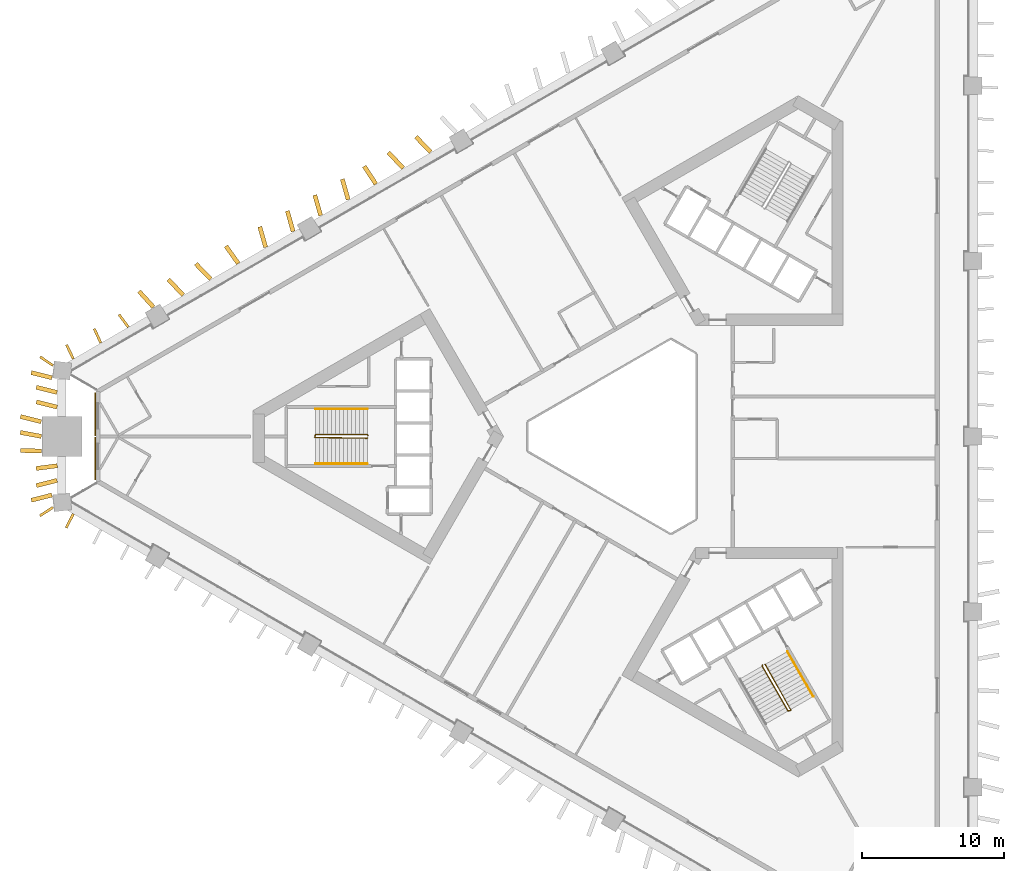
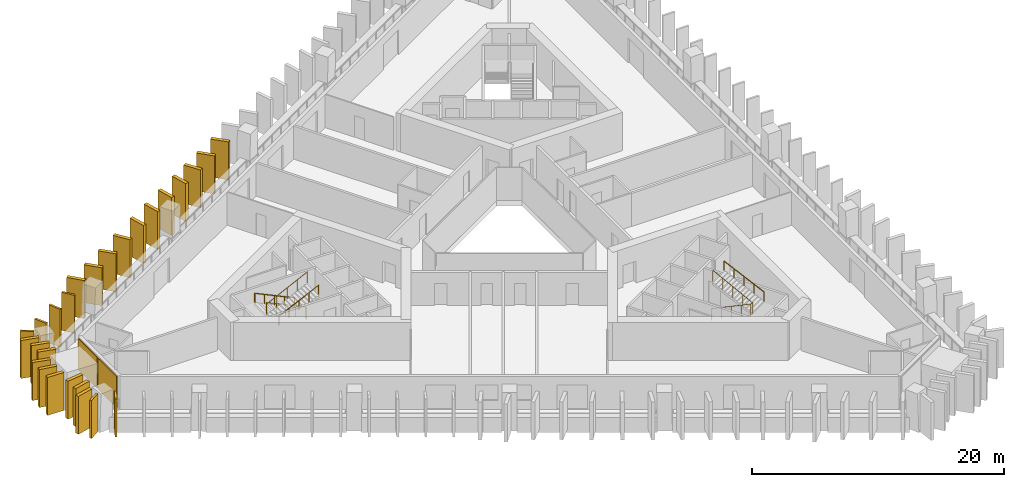
# One storey, part 8 of 10: 26 shading devices, 5 railings, 2 coverings.
"""IFC4 building model written with IfcOpenShell, lengths in metres."""

import ifcopenshell
import ifcopenshell.guid

model = None  # the IFC model being written
_history = None  # IfcOwnerHistory: only IFC2X3 demands one
_inside = {}  # id of a spatial element -> (the spatial element, [elements in it])
_under = {}  # id of a project, library or spatial element -> (it, [spatial elements below it])
_declared = {}  # id of a project -> (the project, [libraries it declares])
_typed = {}  # id of a type object -> (the type object, [elements of that type])
_made_of = {}  # id of a material, layer set ... -> (it, [elements and type objects made of it])


def new_model(schema):
    """Start an empty IFC model of exactly this schema.

    Asked for "IFC4X3", IfcOpenShell would pick the latest addendum, in which some entities
    have other attributes; the version numbers below select the first issue.
    IFC2X3 requires an IfcOwnerHistory on every rooted entity: one is made here for all.
    """
    global model, _history
    if schema == "IFC4X3":
        model = ifcopenshell.file(schema_version=(4, 3, 0, 0))
    else:
        model = ifcopenshell.file(schema=schema)
    _inside.clear()
    _under.clear()
    _declared.clear()
    _typed.clear()
    _made_of.clear()
    _history = None
    if model.schema == "IFC2X3":
        org = make("IfcOrganization", Name="unknown")
        user = make(
            "IfcPersonAndOrganization",
            ThePerson=make("IfcPerson", FamilyName="unknown"),
            TheOrganization=org,
        )
        app = make(
            "IfcApplication",
            ApplicationDeveloper=org,
            Version="unknown",
            ApplicationFullName="unknown",
            ApplicationIdentifier="unknown",
        )
        _history = make(
            "IfcOwnerHistory",
            OwningUser=user,
            OwningApplication=app,
            ChangeAction="ADDED",
            CreationDate=0,
        )
    return model


def make(cls, **values):
    """One entity of the class cls with the attributes given. An attribute that is None is left unset."""
    return model.create_entity(
        cls, **{name: value for name, value in values.items() if value is not None}
    )


def rooted(cls, **values):
    """An entity with a GlobalId (a new one), such as an element, a storey or a relation."""
    return make(cls, GlobalId=ifcopenshell.guid.new(), OwnerHistory=_history, **values)


def si_unit(unit_type, name, prefix=None):
    """IfcSIUnit, for example si_unit("LENGTHUNIT", "METRE", prefix="MILLI")."""
    return make("IfcSIUnit", UnitType=unit_type, Prefix=prefix, Name=name)


def assignment(units):
    """IfcUnitAssignment: the units of a project."""
    return None if units is None else make("IfcUnitAssignment", Units=units)


def point(xyz):
    """IfcCartesianPoint."""
    return None if xyz is None else make("IfcCartesianPoint", Coordinates=xyz)


def direction(xyz):
    """IfcDirection."""
    return None if xyz is None else make("IfcDirection", DirectionRatios=xyz)


def frame(location, z_axis=None, x_axis=None):
    """IfcAxis2Placement3D, a coordinate frame: its origin and axes. An axis left out is left unset."""
    return make(
        "IfcAxis2Placement3D",
        Location=point(location),
        Axis=direction(z_axis),
        RefDirection=direction(x_axis),
    )


def frame_2d(location, x_axis=None):
    """IfcAxis2Placement2D, a coordinate frame in the plane: its origin and x axis."""
    return make(
        "IfcAxis2Placement2D", Location=point(location), RefDirection=direction(x_axis)
    )


def origin():
    """The frame at (0, 0, 0) with its axes left unset."""
    return frame((0.0, 0.0, 0.0))


def origin_2d():
    """The frame at (0, 0) in the plane with its x axis left unset."""
    return frame_2d((0.0, 0.0))


def place(relative_to, where):
    """IfcLocalPlacement: puts the frame where relative to a parent placement (None: the world)."""
    return make(
        "IfcLocalPlacement", PlacementRelTo=relative_to, RelativePlacement=where
    )


def context(
    kind, dimensions, precision=None, world=None, true_north=None, identifier=None
):
    """IfcGeometricRepresentationContext, for example the 3D "Model" context."""
    return make(
        "IfcGeometricRepresentationContext",
        ContextIdentifier=identifier,
        ContextType=kind,
        CoordinateSpaceDimension=dimensions,
        Precision=precision,
        WorldCoordinateSystem=world,
        TrueNorth=true_north,
    )


def subcontext(parent, identifier, kind, view, scale=None):
    """IfcGeometricRepresentationSubContext, for example "Body" below "Model"."""
    return make(
        "IfcGeometricRepresentationSubContext",
        ContextIdentifier=identifier,
        ContextType=kind,
        ParentContext=parent,
        TargetScale=scale,
        TargetView=view,
    )


def project(units=None, contexts=None):
    """IfcProject with its units and contexts."""
    return rooted(
        "IfcProject",
        Name="project",
        RepresentationContexts=contexts,
        UnitsInContext=assignment(units),
    )


def spatial(cls, under=None, at=None, **own):
    """A site, building, storey or space (cls), placed at a placement, below another one or the project."""
    s = rooted(cls, ObjectPlacement=at, **own)
    if under is not None:
        _under.setdefault(under.id(), (under, []))[1].append(s)
    return s


def profile(cls, at=None, kind="AREA", **sizes):
    """A parametric profile (cls). Its sizes go by their IFC names, for example OverallWidth=200.0."""
    return make(cls, ProfileType=kind, Position=at, **sizes)


def rectangle(**sizes):
    """IfcRectangleProfileDef."""
    return profile("IfcRectangleProfileDef", **sizes)


def circle(**sizes):
    """IfcCircleProfileDef."""
    return profile("IfcCircleProfileDef", **sizes)


def extrude(swept, where, along, depth):
    """IfcExtrudedAreaSolid: the profile swept, set in the frame where, extruded along a direction by depth."""
    return make(
        "IfcExtrudedAreaSolid",
        SweptArea=swept,
        Position=where,
        ExtrudedDirection=direction(along),
        Depth=depth,
    )


def shape(context_of_items, identifier, shape_type, items):
    """IfcShapeRepresentation: the items that make up one representation, for example the "Body"."""
    return make(
        "IfcShapeRepresentation",
        ContextOfItems=context_of_items,
        RepresentationIdentifier=identifier,
        RepresentationType=shape_type,
        Items=items,
    )


def material(Name=None, Category=None):
    """IfcMaterial."""
    return make("IfcMaterial", Name=Name, Category=Category)


def layer(
    of_material, thickness, ventilated=None, Name=None, Category=None, Priority=None
):
    """IfcMaterialLayer: one layer of a wall or slab, of a material (None: an air gap)."""
    return make(
        "IfcMaterialLayer",
        Material=of_material,
        LayerThickness=thickness,
        IsVentilated=ventilated,
        Name=Name,
        Category=Category,
        Priority=Priority,
    )


def layer_set(layers, Name=None):
    """IfcMaterialLayerSet."""
    return make("IfcMaterialLayerSet", MaterialLayers=layers, LayerSetName=Name)


def made_of(thing, what):
    """Note that an element or type object is made of a material, layer set ...; save() writes the relation."""
    if what is not None:
        _made_of.setdefault(what.id(), (what, []))[1].append(thing)
    return thing


def type_object(cls, material=None, **own):
    """A type object (cls), such as IfcWallType, which elements share."""
    return made_of(rooted(cls, **own), material)


def element(
    cls,
    number,
    at=None,
    inside=None,
    cuts=None,
    type_object=None,
    material=None,
    context=None,
    identifier="Body",
    shape_type=None,
    held_by="IfcProductDefinitionShape",
    body=None,
    shapes=None,
    **own,
):
    """One element of the class cls, such as IfcWall. Its Tag is "e" and its number.

    at: its placement. inside: the storey or other place that contains it. cuts: it is an
    opening in that element (IfcRelVoidsElement). A single representation is given by context,
    identifier, shape_type and body (its items); several are given by shapes. held_by: the class
    of the entity that holds the representations. save() writes the other relations.
    """
    e = rooted(cls, Tag="e%d" % number, ObjectPlacement=at, **own)
    if body is not None:
        shapes = [shape(context, identifier, shape_type, body)]
    if shapes is not None:
        e.Representation = make(held_by, Representations=shapes)
    if inside is not None:
        _inside.setdefault(inside.id(), (inside, []))[1].append(e)
    if cuts is not None:
        rooted(
            "IfcRelVoidsElement", RelatingBuildingElement=cuts, RelatedOpeningElement=e
        )
    if type_object is not None:
        _typed.setdefault(type_object.id(), (type_object, []))[1].append(e)
    return made_of(e, material)


def aggregate(whole, parts):
    """IfcRelAggregates: a whole, such as a stair, and the parts it consists of."""
    return rooted("IfcRelAggregates", RelatingObject=whole, RelatedObjects=parts)


def save(model, path):
    """Write the relations noted so far, then the file.

    IfcRelAggregates (storeys below a building ...), IfcRelContainedInSpatialStructure (elements
    in a storey), IfcRelDefinesByType, IfcRelAssociatesMaterial and IfcRelDeclares: one each for
    every whole, place, type object, material and project.
    """
    for whole, parts in _under.values():
        aggregate(whole, parts)
    for where, things in _inside.values():
        rooted(
            "IfcRelContainedInSpatialStructure",
            RelatedElements=things,
            RelatingStructure=where,
        )
    for kind, things in _typed.values():
        rooted("IfcRelDefinesByType", RelatedObjects=things, RelatingType=kind)
    for what, things in _made_of.values():
        rooted("IfcRelAssociatesMaterial", RelatedObjects=things, RelatingMaterial=what)
    for by, libraries in _declared.values():
        rooted("IfcRelDeclares", RelatingContext=by, RelatedDefinitions=libraries)
    model.write(path)


model = new_model("IFC4")

# Units and contexts
model_context = context("Model", 3, precision=1e-05, world=origin(), true_north=direction((0.0, 1.0)))
body_context = subcontext(model_context, "Body", "Model", "MODEL_VIEW")
ifc_project = project(units=[si_unit("LENGTHUNIT", "METRE"), si_unit("AREAUNIT", "SQUARE_METRE"), si_unit("VOLUMEUNIT", "CUBIC_METRE"), si_unit("PLANEANGLEUNIT", "RADIAN"), si_unit("MASSUNIT", "GRAM", prefix="KILO")], contexts=[model_context])

# Site, building, storey
site_placement = place(None, origin())
site = spatial("IfcSite", under=ifc_project, at=site_placement, CompositionType="ELEMENT")
building_placement = place(site_placement, origin())
building = spatial("IfcBuilding", under=site, at=building_placement, Name="Jabali Bay Hotel Tower and Convention Centre", CompositionType="ELEMENT")
storey_placement = place(building_placement, frame((0.0, 0.0, 30.0)))
storey = spatial("IfcBuildingStorey", under=building, at=storey_placement, Name="L05", CompositionType="ELEMENT", Elevation=30.0)

# Shading devices
ifc_material_1 = material(Name="Precast concrete C60", Category="concrete")
ifc_layer_1 = layer(ifc_material_1, 0.179931640625)
ifc_layer_set_1 = layer_set([ifc_layer_1], Name="Precast concrete C60")
shading_device_type_1 = type_object("IfcShadingDeviceType", Name="Precast fin 3680 x 1100", PredefinedType="USERDEFINED", material=ifc_layer_set_1)
for number, where, z_axis, x_axis, name in (
    (1, (39.61328125, 87.689453125, 0.010009765625), (0.0, 0.0, 1.0), (-0.59480284986, 0.803871612758, 0.0), "Fin L05 064"),
    (2, (37.679931640625, 86.571533203125, 0.010009765625), (0.0, 0.0, 1.0), (-0.412983515792, 0.910738500166, 0.0), "Fin L05 065"),
    (3, (35.74658203125, 85.453125, 0.010009765625), (0.0, 0.0, 1.0), (-0.43250741036, 0.901630378805, 0.0), "Fin L05 066"),
):
    element("IfcShadingDevice", number, at=place(storey_placement, frame(where, z_axis=z_axis, x_axis=x_axis)), inside=storey, type_object=shading_device_type_1, Name=name, ObjectType="FIN", PredefinedType="USERDEFINED", context=body_context, shape_type="SweptSolid", body=[
        extrude(rectangle(XDim=1.10009765625, YDim=0.179931640625, at=frame_2d((0.550048828125, 0.0))), origin(), (0.0, 0.0, 1.0), 3.679931640625),
    ])
shading_device_1_placement = place(storey_placement, frame((35.747802734375, 74.548828125, 0.010009765625), z_axis=(0.0, 0.0, 1.0), x_axis=(-0.456158912127, -0.889898335141, 0.0)))
element("IfcShadingDevice", 4, at=shading_device_1_placement, inside=storey, type_object=shading_device_type_1, Name="Fin L05 076", ObjectType="FIN", PredefinedType="USERDEFINED", context=body_context, shape_type="SweptSolid", body=[
    extrude(rectangle(XDim=1.099853515625, YDim=0.179931640625, at=frame_2d((0.5498046875, 0.0))), origin(), (0.0, 0.0, 1.0), 3.679931640625),
])
shading_device_2_placement = place(storey_placement, frame((34.324462890625, 84.984619140625, 0.010009765625), z_axis=(0.0, 0.0, 1.0), x_axis=(-0.830921834682, 0.556389166546, 0.0)))
element("IfcShadingDevice", 5, at=shading_device_2_placement, inside=storey, type_object=shading_device_type_1, Name="Fin L05 117", ObjectType="FIN", PredefinedType="USERDEFINED", context=body_context, shape_type="SweptSolid", body=[
    extrude(rectangle(XDim=1.10009765625, YDim=0.179931640625, at=frame_2d((0.550048828125, 0.0))), origin(), (0.0, 0.0, 1.0), 3.679931640625),
])
shading_device_3_placement = place(storey_placement, frame((34.32568359375, 75.015869140625, 0.010009765625), z_axis=(0.0, 0.0, 1.0), x_axis=(-0.839921338324, -0.542708158616, 0.0)))
element("IfcShadingDevice", 6, at=shading_device_3_placement, inside=storey, type_object=shading_device_type_1, Name="Fin L05 118", ObjectType="FIN", PredefinedType="USERDEFINED", context=body_context, shape_type="SweptSolid", body=[
    extrude(rectangle(XDim=1.099853515625, YDim=0.179931640625, at=frame_2d((0.5498046875, 0.0))), origin(), (0.0, 0.0, 1.0), 3.679931640625),
])
ifc_layer_2 = layer(ifc_material_1, 0.300048828125)
ifc_layer_set_2 = layer_set([ifc_layer_2], Name="Precast concrete C60")
shading_device_type_2 = type_object("IfcShadingDeviceType", Name="Precast fin 3680 x 1500", PredefinedType="USERDEFINED", material=ifc_layer_set_2)
shading_device_4_placement = place(storey_placement, frame((60.876220703125, 99.99609375, 0.010009765625), z_axis=(0.0, 0.0, 1.0), x_axis=(-0.696448262157, 0.717607008145, 0.0)))
element("IfcShadingDevice", 7, at=shading_device_4_placement, inside=storey, type_object=shading_device_type_2, Name="Fin L05 053", ObjectType="FIN", PredefinedType="USERDEFINED", context=body_context, shape_type="SweptSolid", body=[
    extrude(rectangle(XDim=1.5, YDim=0.300048828125, at=frame_2d((0.75, 0.0))), origin(), (0.0, 0.0, 1.0), 3.679931640625),
])
shading_device_5_placement = place(storey_placement, frame((58.942138671875, 98.87939453125, 0.010009765625), z_axis=(0.0, 0.0, 1.0), x_axis=(-0.696532062554, 0.717525669112, 0.0)))
element("IfcShadingDevice", 8, at=shading_device_5_placement, inside=storey, type_object=shading_device_type_2, Name="Fin L05 054", ObjectType="FIN", PredefinedType="USERDEFINED", context=body_context, shape_type="SweptSolid", body=[
    extrude(rectangle(XDim=1.500244140625, YDim=0.300048828125, at=frame_2d((0.75, 0.0))), origin(), (0.0, 0.0, 1.0), 3.679931640625),
])
shading_device_6_placement = place(storey_placement, frame((57.022216796875, 97.73779296875, 0.010009765625), z_axis=(0.0, 0.0, 1.0), x_axis=(-0.544101312904, 0.839019523787, 0.0)))
element("IfcShadingDevice", 9, at=shading_device_6_placement, inside=storey, type_object=shading_device_type_2, Name="Fin L05 055", ObjectType="FIN", PredefinedType="USERDEFINED", context=body_context, shape_type="SweptSolid", body=[
    extrude(rectangle(XDim=1.5, YDim=0.300048828125, at=frame_2d((0.75, 0.0))), origin(), (0.0, 0.0, 1.0), 3.679931640625),
])
for number, where, z_axis, x_axis, name in (
    (10, (55.07373046875, 96.64599609375, 0.010009765625), (0.0, 0.0, 1.0), (-0.273087133961, 0.961989302053, 0.0), "Fin L05 056"),
    (11, (53.139404296875, 95.529296875, 0.010009765625), (0.0, 0.0, 1.0), (-0.273087133961, 0.961989302053, 0.0), "Fin L05 057"),
    (12, (51.205322265625, 94.41259765625, 0.010009765625), (0.0, 0.0, 1.0), (-0.273087133961, 0.961989302053, 0.0), "Fin L05 058"),
):
    element("IfcShadingDevice", number, at=place(storey_placement, frame(where, z_axis=z_axis, x_axis=x_axis)), inside=storey, type_object=shading_device_type_2, Name=name, ObjectType="FIN", PredefinedType="USERDEFINED", context=body_context, shape_type="SweptSolid", body=[
        extrude(rectangle(XDim=1.500244140625, YDim=0.300048828125, at=frame_2d((0.75, 0.0))), origin(), (0.0, 0.0, 1.0), 3.679931640625),
    ])
for number, where, z_axis, x_axis, name in (
    (13, (49.27099609375, 93.2958984375, 0.010009765625), (0.0, 0.0, 1.0), (-0.273280513115, 0.961934385055, 0.0), "Fin L05 059"),
    (14, (47.34814453125, 92.15966796875, 0.010009765625), (0.0, 0.0, 1.0), (-0.578802875108, 0.815467492771, 0.0), "Fin L05 060"),
    (15, (45.40283203125, 91.062255859375, 0.010009765625), (0.0, 0.0, 1.0), (-0.694379525289, 0.719608973582, 0.0), "Fin L05 061"),
    (16, (43.46923828125, 89.944580078125, 0.010009765625), (0.0, 0.0, 1.0), (-0.689309629648, 0.724466862234, 0.0), "Fin L05 062"),
    (17, (41.3828125, 89.09130859375, 0.010009765625), (0.0, 0.0, 1.0), (-0.673466281351, 0.739217943426, 0.0), "Fin L05 063"),
):
    element("IfcShadingDevice", number, at=place(storey_placement, frame(where, z_axis=z_axis, x_axis=x_axis)), inside=storey, type_object=shading_device_type_2, Name=name, ObjectType="FIN", PredefinedType="USERDEFINED", context=body_context, shape_type="SweptSolid", body=[
        extrude(rectangle(XDim=1.5, YDim=0.300048828125, at=frame_2d((0.75, 0.0))), origin(), (0.0, 0.0, 1.0), 3.679931640625),
    ])
shading_device_7_placement = place(storey_placement, frame((34.24609375, 84.12060546875, 0.010009765625), z_axis=(0.0, 0.0, 1.0), x_axis=(-0.969652207963, 0.244488436522, 0.0)))
element("IfcShadingDevice", 18, at=shading_device_7_placement, inside=storey, type_object=shading_device_type_2, Name="Fin L05 067", ObjectType="FIN", PredefinedType="USERDEFINED", context=body_context, shape_type="SweptSolid", body=[
    extrude(rectangle(XDim=1.499755859375, YDim=0.300048828125, at=frame_2d((0.75, 0.0))), origin(), (0.0, 0.0, 1.0), 3.679931640625),
])
shading_device_8_placement = place(storey_placement, frame((34.605712890625, 83.09033203125, 0.010009765625), z_axis=(0.0, 0.0, 1.0), x_axis=(-0.969613608495, 0.244641472816, 0.0)))
element("IfcShadingDevice", 19, at=shading_device_8_placement, inside=storey, type_object=shading_device_type_2, Name="Fin L05 068", ObjectType="FIN", PredefinedType="USERDEFINED", context=body_context, shape_type="SweptSolid", body=[
    extrude(rectangle(XDim=1.5, YDim=0.300048828125, at=frame_2d((0.75, 0.0))), origin(), (0.0, 0.0, 1.0), 3.679931640625),
])
shading_device_9_placement = place(storey_placement, frame((34.605712890625, 82.060302734375, 0.010009765625), z_axis=(0.0, 0.0, 1.0), x_axis=(-0.969652207963, 0.244488436522, 0.0)))
element("IfcShadingDevice", 20, at=shading_device_9_placement, inside=storey, type_object=shading_device_type_2, Name="Fin L05 069", ObjectType="FIN", PredefinedType="USERDEFINED", context=body_context, shape_type="SweptSolid", body=[
    extrude(rectangle(XDim=1.499755859375, YDim=0.300048828125, at=frame_2d((0.75, 0.0))), origin(), (0.0, 0.0, 1.0), 3.679931640625),
])
shading_device_10_placement = place(storey_placement, frame((33.493408203125, 81.030029296875, 0.010009765625), z_axis=(0.0, 0.0, 1.0), x_axis=(-0.969623347811, 0.244602868708, 0.0)))
element("IfcShadingDevice", 21, at=shading_device_10_placement, inside=storey, type_object=shading_device_type_2, Name="Fin L05 070", ObjectType="FIN", PredefinedType="USERDEFINED", context=body_context, shape_type="SweptSolid", body=[
    extrude(rectangle(XDim=1.500244140625, YDim=0.300048828125, at=frame_2d((0.75, 0.0))), origin(), (0.0, 0.0, 1.0), 3.679931640625),
])
for number, where, z_axis, x_axis, name in (
    (22, (33.502197265625, 80.0, 0.010009765625), (0.0, 0.0, 1.0), (-0.982692975528, 0.185241776735, 0.0), "Fin L05 071"),
    (23, (33.52587890625, 78.969970703125, 0.010009765625), (0.0, 0.0, 1.0), (-0.999634851045, 0.027021557608, 0.0), "Fin L05 072"),
    (24, (34.622802734375, 77.939697265625, 0.010009765625), (0.0, 0.0, 1.0), (-0.991484741012, -0.13022291788, 0.0), "Fin L05 073"),
):
    element("IfcShadingDevice", number, at=place(storey_placement, frame(where, z_axis=z_axis, x_axis=x_axis)), inside=storey, type_object=shading_device_type_2, Name=name, ObjectType="FIN", PredefinedType="USERDEFINED", context=body_context, shape_type="SweptSolid", body=[
        extrude(rectangle(XDim=1.499755859375, YDim=0.300048828125, at=frame_2d((0.75, 0.0))), origin(), (0.0, 0.0, 1.0), 3.679931640625),
    ])
shading_device_11_placement = place(storey_placement, frame((34.605712890625, 76.90966796875, 0.010009765625), z_axis=(0.0, 0.0, 1.0), x_axis=(-0.969613608495, -0.244641472816, 0.0)))
element("IfcShadingDevice", 25, at=shading_device_11_placement, inside=storey, type_object=shading_device_type_2, Name="Fin L05 074", ObjectType="FIN", PredefinedType="USERDEFINED", context=body_context, shape_type="SweptSolid", body=[
    extrude(rectangle(XDim=1.5, YDim=0.300048828125, at=frame_2d((0.75, 0.0))), origin(), (0.0, 0.0, 1.0), 3.679931640625),
])
shading_device_12_placement = place(storey_placement, frame((34.24609375, 75.87939453125, 0.010009765625), z_axis=(0.0, 0.0, 1.0), x_axis=(-0.969652207963, -0.244488436522, 0.0)))
element("IfcShadingDevice", 26, at=shading_device_12_placement, inside=storey, type_object=shading_device_type_2, Name="Fin L05 075", ObjectType="FIN", PredefinedType="USERDEFINED", context=body_context, shape_type="SweptSolid", body=[
    extrude(rectangle(XDim=1.499755859375, YDim=0.300048828125, at=frame_2d((0.75, 0.0))), origin(), (0.0, 0.0, 1.0), 3.679931640625),
])

# Coverings
ifc_material_2 = material(Name="Precast concrete C40/50", Category="concrete")
ifc_layer_3 = layer(ifc_material_2, 0.080078125)
ifc_layer_set_3 = layer_set([ifc_layer_3], Name="Precast concrete C40/50")
covering_type = type_object("IfcCoveringType", Name="Relief panel 3000 x 3000", PredefinedType="CLADDING", material=ifc_layer_set_3)
for number, where, z_axis, x_axis, name in (
    (27, (37.2890625, 78.445556640625, 0.10009765625), (0.0, 0.0, 1.0), (0.0, 1.0, 0.0), "Relief panel L05"),
    (28, (37.2890625, 81.554443359375, 0.10009765625), (0.0, 0.0, 1.0), (0.0, 1.0, 0.0), "Relief panel L05"),
):
    element("IfcCovering", number, at=place(storey_placement, frame(where, z_axis=z_axis, x_axis=x_axis)), inside=storey, type_object=covering_type, Name=name, PredefinedType="CLADDING", context=body_context, shape_type="SweptSolid", body=[
        extrude(rectangle(XDim=3.0, YDim=0.080078125, at=origin_2d()), origin(), (0.0, 0.0, 1.0), 3.0),
    ])

# Railings
ifc_material_3 = material(Name="Steel Q355B", Category="steel")
railing_type_1 = type_object("IfcRailingType", Name="Stair guard 1100", PredefinedType="GUARDRAIL", material=ifc_material_3)
railing_1_placement = place(storey_placement, frame((56.469970703125, 80.074951171875, 0.0)))
element("IfcRailing", 29, at=railing_1_placement, inside=storey, type_object=railing_type_1, Name="L05 ST1 stair guard 1", PredefinedType="GUARDRAIL", context=body_context, shape_type="SweptSolid", body=[
    extrude(circle(Radius=0.02392578125, at=origin_2d()), frame((0.0, 0.0, 1.076171875), z_axis=(-0.333993628408, 0.333993628408, 0.881417331555), x_axis=(-0.707106781187, -0.707106781187, 0.0)), (0.0, 0.0, 1.0), 0.14990234375),
    extrude(circle(Radius=0.02392578125, at=origin_2d()), frame((-0.050048828125, 0.050048828125, 1.2080078125), z_axis=(-0.904327350853, 0.0, 0.426839598092), x_axis=(0.0, -1.0, 0.0)), (0.0, 0.0, 1.0), 4.02490234375),
    extrude(circle(Radius=0.02392578125, at=origin_2d()), frame((-3.68994140625, 0.050048828125, 2.92626953125), z_axis=(-0.242814311512, -0.970072785993, 0.0), x_axis=(0.970072785993, -0.242814311512, 0.0)), (0.0, 0.0, 1.0), 0.2060546875),
    extrude(circle(Radius=0.02392578125, at=origin_2d()), frame((-3.739990234375, -0.14990234375, 2.92626953125), z_axis=(0.893887803671, -0.012124321804, 0.4481267625), x_axis=(0.013562335953, 0.999908027292, 0.0)), (0.0, 0.0, 1.0), 4.1279296875),
    extrude(circle(Radius=0.02099609375, at=origin_2d()), origin(), (0.0, 0.0, 1.0), 1.052001953125),
    extrude(circle(Radius=0.02099609375, at=origin_2d()), frame((-0.050048828125, 0.050048828125, 0.132080078125)), (0.0, 0.0, 1.0), 1.052001953125),
    extrude(circle(Radius=0.02099609375, at=origin_2d()), frame((-0.9599609375, 0.050048828125, 0.5615234375)), (0.0, 0.0, 1.0), 1.052001953125),
    extrude(circle(Radius=0.02099609375, at=origin_2d()), frame((-1.8701171875, 0.050048828125, 0.9912109375)), (0.0, 0.0, 1.0), 1.052001953125),
    extrude(circle(Radius=0.02099609375, at=origin_2d()), frame((-2.780029296875, 0.050048828125, 1.420654296875)), (0.0, 0.0, 1.0), 1.052001953125),
    extrude(circle(Radius=0.02099609375, at=origin_2d()), frame((-3.68994140625, 0.050048828125, 1.85009765625)), (0.0, 0.0, 1.0), 1.052001953125),
    extrude(circle(Radius=0.02099609375, at=origin_2d()), frame((-3.739990234375, -0.14990234375, 1.85009765625)), (0.0, 0.0, 1.0), 1.052001953125),
    extrude(circle(Radius=0.02099609375, at=origin_2d()), frame((-2.8173828125, -0.162353515625, 2.3125)), (0.0, 0.0, 1.0), 1.052001953125),
    extrude(circle(Radius=0.02099609375, at=origin_2d()), frame((-1.89501953125, -0.1748046875, 2.77490234375)), (0.0, 0.0, 1.0), 1.052001953125),
    extrude(circle(Radius=0.02099609375, at=origin_2d()), frame((-0.97265625, -0.1875, 3.237548828125)), (0.0, 0.0, 1.0), 1.052001953125),
    extrude(circle(Radius=0.02099609375, at=origin_2d()), frame((-0.050048828125, -0.199951171875, 3.699951171875)), (0.0, 0.0, 1.0), 1.052001953125),
])
railing_2_placement = place(storey_placement, frame((84.199951171875, 63.9150390625, 0.0)))
element("IfcRailing", 30, at=railing_2_placement, inside=storey, type_object=railing_type_1, Name="L05 ST3 stair guard 1", PredefinedType="GUARDRAIL", context=body_context, shape_type="SweptSolid", body=[
    extrude(circle(Radius=0.02392578125, at=origin_2d()), frame((0.0, 0.0, 1.076171875), z_axis=(-0.122196845461, -0.456201556387, 0.881446578591), x_axis=(0.965948051503, -0.258736085224, 0.0)), (0.0, 0.0, 1.0), 0.14990234375),
    extrude(circle(Radius=0.02392578125, at=origin_2d()), frame((-0.018310546875, -0.068359375, 1.2080078125), z_axis=(0.45217862506, -0.783169739339, 0.426825081763), x_axis=(0.866018046521, 0.500012742938, 0.0)), (0.0, 0.0, 1.0), 4.025146484375),
    extrude(circle(Radius=0.02392578125, at=origin_2d()), frame((1.8017578125, -3.220703125, 2.92626953125), z_axis=(0.96121063429, 0.275815366736, 0.0), x_axis=(-0.275815366736, 0.96121063429, 0.0)), (0.0, 0.0, 1.0), 0.206298828125),
    extrude(circle(Radius=0.02392578125, at=origin_2d()), frame((2.0, -3.163818359375, 2.92626953125), z_axis=(-0.436481798955, 0.780166857725, 0.448133142368), x_axis=(-0.872702246529, -0.488252792008, 0.0)), (0.0, 0.0, 1.0), 4.1279296875),
    extrude(circle(Radius=0.02099609375, at=origin_2d()), origin(), (0.0, 0.0, 1.0), 1.052001953125),
    extrude(circle(Radius=0.02099609375, at=origin_2d()), frame((-0.018310546875, -0.068359375, 0.132080078125)), (0.0, 0.0, 1.0), 1.052001953125),
    extrude(circle(Radius=0.02099609375, at=origin_2d()), frame((0.436767578125, -0.8564453125, 0.5615234375)), (0.0, 0.0, 1.0), 1.052001953125),
    extrude(circle(Radius=0.02099609375, at=origin_2d()), frame((0.8916015625, -1.64453125, 0.9912109375)), (0.0, 0.0, 1.0), 1.052001953125),
    extrude(circle(Radius=0.02099609375, at=origin_2d()), frame((1.3466796875, -2.4326171875, 1.420654296875)), (0.0, 0.0, 1.0), 1.052001953125),
    extrude(circle(Radius=0.02099609375, at=origin_2d()), frame((1.8017578125, -3.220703125, 1.85009765625)), (0.0, 0.0, 1.0), 1.052001953125),
    extrude(circle(Radius=0.02099609375, at=origin_2d()), frame((2.0, -3.163818359375, 1.85009765625)), (0.0, 0.0, 1.0), 1.052001953125),
    extrude(circle(Radius=0.02099609375, at=origin_2d()), frame((1.549560546875, -2.358642578125, 2.3125)), (0.0, 0.0, 1.0), 1.052001953125),
    extrude(circle(Radius=0.02099609375, at=origin_2d()), frame((1.09912109375, -1.5537109375, 2.77490234375)), (0.0, 0.0, 1.0), 1.052001953125),
    extrude(circle(Radius=0.02099609375, at=origin_2d()), frame((0.648681640625, -0.74853515625, 3.237548828125)), (0.0, 0.0, 1.0), 1.052001953125),
    extrude(circle(Radius=0.02099609375, at=origin_2d()), frame((0.1982421875, 0.056640625, 3.699951171875)), (0.0, 0.0, 1.0), 1.052001953125),
])
railing_type_2 = type_object("IfcRailingType", Name="Stair handrail 900", PredefinedType="HANDRAIL", material=ifc_material_3)
railing_3_placement = place(storey_placement, frame((56.419921875, 81.925048828125, 0.132080078125)))
element("IfcRailing", 31, at=railing_3_placement, inside=storey, type_object=railing_type_2, Name="L05 ST1 stair handrail 1", PredefinedType="HANDRAIL", context=body_context, shape_type="SweptSolid", body=[
    extrude(circle(Radius=0.02392578125, at=origin_2d()), frame((0.0, 0.0, 0.8759765625), z_axis=(-0.904327350853, 0.0, 0.426839598092), x_axis=(0.0, -1.0, 0.0)), (0.0, 0.0, 1.0), 4.02490234375),
    extrude(circle(Radius=0.02099609375, at=origin_2d()), origin(), (0.0, 0.0, 1.0), 0.851806640625),
    extrude(circle(Radius=0.02099609375, at=origin_2d()), frame((-0.909912109375, 0.0, 0.429443359375)), (0.0, 0.0, 1.0), 0.851806640625),
    extrude(circle(Radius=0.02099609375, at=origin_2d()), frame((-1.81982421875, 0.0, 0.85888671875)), (0.0, 0.0, 1.0), 0.851806640625),
    extrude(circle(Radius=0.02099609375, at=origin_2d()), frame((-2.72998046875, 0.0, 1.28857421875)), (0.0, 0.0, 1.0), 0.851806640625),
    extrude(circle(Radius=0.02099609375, at=origin_2d()), frame((-3.639892578125, 0.0, 1.718017578125)), (0.0, 0.0, 1.0), 0.851806640625),
])
railing_4_placement = place(storey_placement, frame((52.780029296875, 78.074951171875, 1.982177734375)))
element("IfcRailing", 32, at=railing_4_placement, inside=storey, type_object=railing_type_2, Name="L05 ST1 stair handrail 2", PredefinedType="HANDRAIL", context=body_context, shape_type="SweptSolid", body=[
    extrude(circle(Radius=0.02392578125, at=origin_2d()), frame((0.0, 0.0, 0.8759765625), z_axis=(0.904350763662, 0.0, 0.426789990819), x_axis=(0.0, 1.0, 0.0)), (0.0, 0.0, 1.0), 4.02490234375),
    extrude(circle(Radius=0.02099609375, at=origin_2d()), origin(), (0.0, 0.0, 1.0), 0.851806640625),
    extrude(circle(Radius=0.02099609375, at=origin_2d()), frame((0.909912109375, 0.0, 0.429443359375)), (0.0, 0.0, 1.0), 0.851806640625),
    extrude(circle(Radius=0.02099609375, at=origin_2d()), frame((1.81982421875, 0.0, 0.85888671875)), (0.0, 0.0, 1.0), 0.851806640625),
    extrude(circle(Radius=0.02099609375, at=origin_2d()), frame((2.72998046875, 0.0, 1.288330078125)), (0.0, 0.0, 1.0), 0.851806640625),
    extrude(circle(Radius=0.02099609375, at=origin_2d()), frame((3.639892578125, 0.0, 1.7177734375)), (0.0, 0.0, 1.0), 0.851806640625),
])
railing_5_placement = place(storey_placement, frame((87.777099609375, 61.719482421875, 1.982177734375)))
element("IfcRailing", 33, at=railing_5_placement, inside=storey, type_object=railing_type_2, Name="L05 ST3 stair handrail 2", PredefinedType="HANDRAIL", context=body_context, shape_type="SweptSolid", body=[
    extrude(circle(Radius=0.02392578125, at=origin_2d()), frame((0.0, 0.0, 0.8759765625), z_axis=(-0.452190331055, 0.783190014029, 0.426775475427), x_axis=(-0.866018046521, -0.500012742938, 0.0)), (0.0, 0.0, 1.0), 4.02490234375),
    extrude(circle(Radius=0.02099609375, at=origin_2d()), origin(), (0.0, 0.0, 1.0), 0.851806640625),
    extrude(circle(Radius=0.02099609375, at=origin_2d()), frame((-0.455078125, 0.7880859375, 0.429443359375)), (0.0, 0.0, 1.0), 0.851806640625),
    extrude(circle(Radius=0.02099609375, at=origin_2d()), frame((-0.91015625, 1.576171875, 0.85888671875)), (0.0, 0.0, 1.0), 0.851806640625),
    extrude(circle(Radius=0.02099609375, at=origin_2d()), frame((-1.364990234375, 2.3642578125, 1.288330078125)), (0.0, 0.0, 1.0), 0.851806640625),
    extrude(circle(Radius=0.02099609375, at=origin_2d()), frame((-1.820068359375, 3.15234375, 1.7177734375)), (0.0, 0.0, 1.0), 0.851806640625),
])

save(model, "model.ifc")
